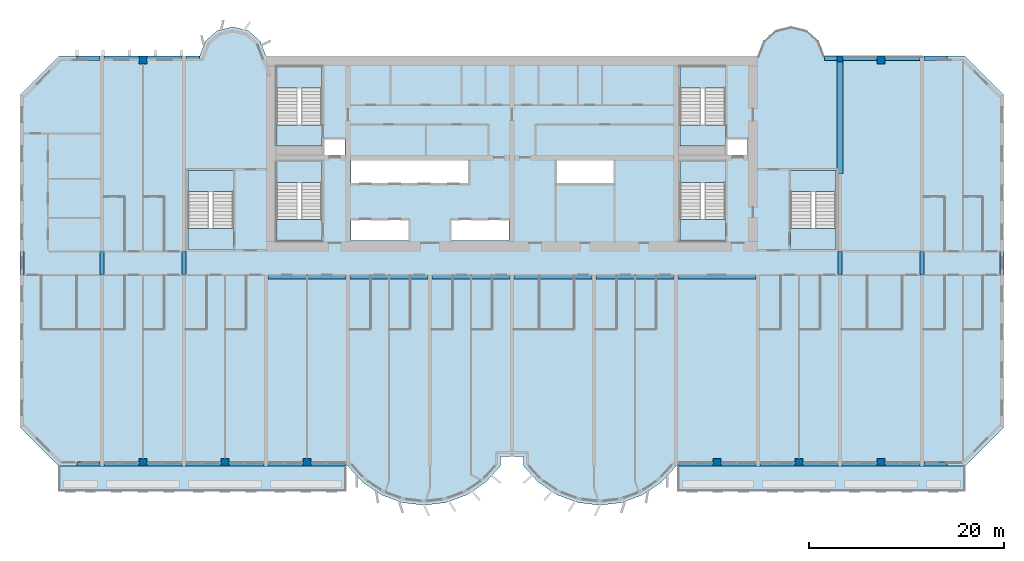
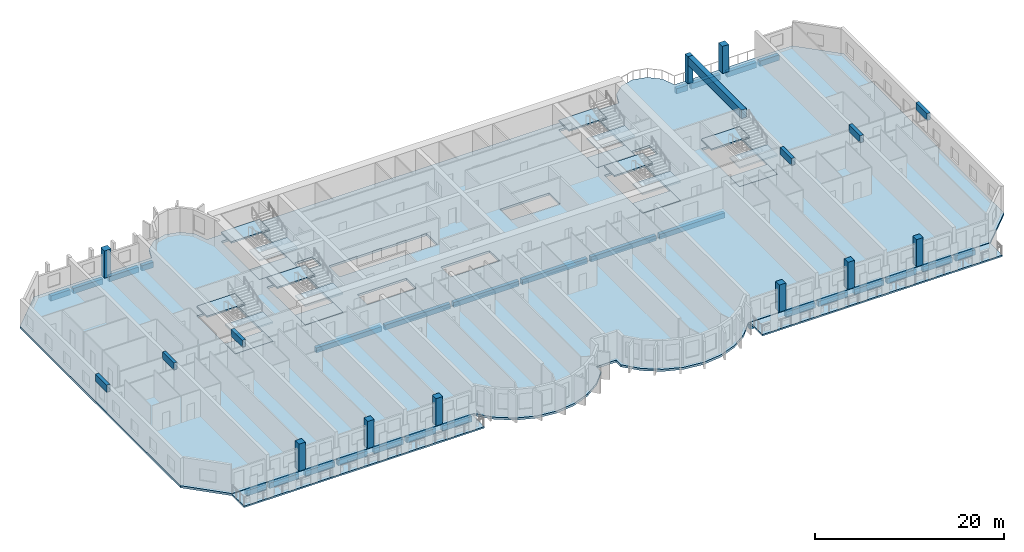
# One storey, part 1 of 14: 35 beams, 21 slabs, 9 columns, 6 elements without a shape of their own.
"""IFC4 building model written with IfcOpenShell, lengths in metres."""

from ifc_helpers import new_model, si_unit, direction, frame, origin, origin_2d, place, context, subcontext, project, spatial, polyline, rectangle, outline, extrude, source, transform, mapped, material, layer, layer_set, material_profile, profile_set, type_object, element, aggregate, save


model = new_model("IFC4")

# Units and contexts
model_context = context("Model", 3, precision=1e-05, world=origin(), true_north=direction((0.0, 1.0)))
body_context = subcontext(model_context, "Body", "Model", "MODEL_VIEW")
ifc_project = project(units=[si_unit("LENGTHUNIT", "METRE"), si_unit("AREAUNIT", "SQUARE_METRE"), si_unit("VOLUMEUNIT", "CUBIC_METRE"), si_unit("PLANEANGLEUNIT", "RADIAN"), si_unit("MASSUNIT", "GRAM", prefix="KILO")], contexts=[model_context])

# Site, building, storey
site_placement = place(None, origin())
site = spatial("IfcSite", under=ifc_project, at=site_placement, CompositionType="ELEMENT")
building_placement = place(site_placement, origin())
building = spatial("IfcBuilding", under=site, at=building_placement, Name="Vanashikhar Sky Hotel", CompositionType="ELEMENT")
storey_placement = place(building_placement, frame((0.0, 0.0, 73.39990234375)))
storey = spatial("IfcBuildingStorey", under=building, at=storey_placement, Name="L17", CompositionType="ELEMENT", Elevation=73.39990234375)

# Columns
ifc_material_1 = material(Name="Concrete M70", Category="concrete")
ifc_material_profile_1 = material_profile(ifc_material_1, rectangle(XDim=0.60009765625, YDim=0.60009765625, at=origin_2d()))
ifc_profile_set_1 = profile_set([ifc_material_profile_1], Name="RC 600x600 column Concrete M70")
column_type_1 = type_object("IfcColumnType", Name="RC 600x600 column Concrete M70", PredefinedType="COLUMN", material=ifc_profile_set_1)
shared_shape_1 = source(origin(), body_context, "Body", "SweptSolid", [
    extrude(rectangle(XDim=0.60009765625, YDim=0.60009765625, at=origin_2d()), origin(), (0.0, 0.0, 1.0), 3.52001953125),
])
column_placement = place(storey_placement, frame((84.0, 41.699951171875, 0.0), z_axis=(0.0, 0.0, 1.0), x_axis=(1.0, 0.0, 0.0)))
element("IfcColumn", 1, at=column_placement, inside=storey, type_object=column_type_1, Name="CL-L17-CRF", PredefinedType="COLUMN", context=body_context, shape_type="MappedRepresentation", body=[
    mapped(shared_shape_1, transform((0.0, 0.0, 0.0), scale=1.0)),
])
ifc_material_profile_2 = material_profile(ifc_material_1, rectangle(XDim=0.800048828125, YDim=0.800048828125, at=origin_2d()))
ifc_profile_set_2 = profile_set([ifc_material_profile_2], Name="RC 800x800 column Concrete M70")
column_type_2 = type_object("IfcColumnType", Name="RC 800x800 column Concrete M70", PredefinedType="COLUMN", material=ifc_profile_set_2)
shared_shape_2 = source(origin(), body_context, "Body", "SweptSolid", [
    extrude(rectangle(XDim=0.800048828125, YDim=0.800048828125, at=origin_2d()), origin(), (0.0, 0.0, 1.0), 3.52001953125),
])
for number, where, z_axis, x_axis, name in (
    (2, (12.60009765625, 0.39990234375, 0.0), (0.0, 0.0, 1.0), (1.0, 0.0, 0.0), "CL-L17-CF02"),
    (3, (21.0, 0.39990234375, 0.0), (0.0, 0.0, 1.0), (1.0, 0.0, 0.0), "CL-L17-CF03"),
    (4, (29.39990234375, 0.39990234375, 0.0), (0.0, 0.0, 1.0), (1.0, 0.0, 0.0), "CL-L17-CF04"),
    (5, (71.39990234375, 0.39990234375, 0.0), (0.0, 0.0, 1.0), (1.0, 0.0, 0.0), "CL-L17-CF09"),
    (6, (79.800048828125, 0.39990234375, 0.0), (0.0, 0.0, 1.0), (1.0, 0.0, 0.0), "CL-L17-CF10"),
    (7, (88.199951171875, 0.39990234375, 0.0), (0.0, 0.0, 1.0), (1.0, 0.0, 0.0), "CL-L17-CF11"),
    (8, (12.60009765625, 41.60009765625, 0.0), (0.0, 0.0, 1.0), (1.0, 0.0, 0.0), "CL-L17-CR02"),
    (9, (88.199951171875, 41.60009765625, 0.0), (0.0, 0.0, 1.0), (1.0, 0.0, 0.0), "CL-L17-CR11"),
):
    element("IfcColumn", number, at=place(storey_placement, frame(where, z_axis=z_axis, x_axis=x_axis)), inside=storey, type_object=column_type_2, Name=name, PredefinedType="COLUMN", context=body_context, shape_type="MappedRepresentation", body=[
        mapped(shared_shape_2, transform((0.0, 0.0, 0.0), scale=1.0)),
    ])

# Beams
ifc_material_2 = material(Name="Concrete M50", Category="concrete")
ifc_material_profile_3 = material_profile(ifc_material_2, rectangle(XDim=0.60009765625, YDim=1.10009765625, at=origin_2d()))
ifc_profile_set_3 = profile_set([ifc_material_profile_3], Name="RC 600x1100 beam Concrete M50")
beam_type_1 = type_object("IfcBeamType", Name="RC 600x1100 beam Concrete M50", PredefinedType="BEAM", material=ifc_profile_set_3)
shared_shape_3 = source(origin(), body_context, "Body", "SweptSolid", [
    extrude(rectangle(XDim=0.60009765625, YDim=1.10009765625, at=origin_2d()), origin(), (0.0, 0.0, 1.0), 11.39990234375),
])
beam_1_placement = place(storey_placement, frame((84.0, 30.0, 2.97021484375), z_axis=(0.0, 1.0, 0.0), x_axis=(-1.0, 0.0, 0.0)))
element("IfcBeam", 10, at=beam_1_placement, inside=storey, type_object=beam_type_1, Name="LB-L17-XW11-O1", PredefinedType="BEAM", context=body_context, shape_type="MappedRepresentation", body=[
    mapped(shared_shape_3, transform((0.0, 0.0, 0.0), scale=1.0)),
])
ifc_material_profile_4 = material_profile(ifc_material_2, rectangle(XDim=0.39990234375, YDim=0.89990234375, at=origin_2d()))
ifc_profile_set_4 = profile_set([ifc_material_profile_4], Name="RC 400x900 beam Concrete M50")
beam_type_2 = type_object("IfcBeamType", Name="RC 400x900 beam Concrete M50", PredefinedType="LINTEL", material=ifc_profile_set_4)
shared_shape_4 = source(origin(), body_context, "Body", "SweptSolid", [
    extrude(rectangle(XDim=0.39990234375, YDim=0.89990234375, at=origin_2d()), origin(), (0.0, 0.0, 1.0), 2.39990234375),
])
for number, where, z_axis, x_axis, name in (
    (11, (0.199951171875, 19.60009765625, 3.070068359375), (0.0, 1.0, 0.0), (-1.0, 0.0, 0.0), "LB-L17-XW01"),
    (12, (8.39990234375, 19.60009765625, 3.070068359375), (0.0, 1.0, 0.0), (-1.0, 0.0, 0.0), "LB-L17-XW02"),
    (13, (16.800048828125, 19.60009765625, 3.070068359375), (0.0, 1.0, 0.0), (-1.0, 0.0, 0.0), "LB-L17-XW03"),
    (14, (84.0, 19.60009765625, 3.070068359375), (0.0, 1.0, 0.0), (-1.0, 0.0, 0.0), "LB-L17-XW11"),
    (15, (92.39990234375, 19.60009765625, 3.070068359375), (0.0, 1.0, 0.0), (-1.0, 0.0, 0.0), "LB-L17-XW12"),
    (16, (100.60009765625, 19.60009765625, 3.070068359375), (0.0, 1.0, 0.0), (-1.0, 0.0, 0.0), "LB-L17-XW13"),
):
    element("IfcBeam", number, at=place(storey_placement, frame(where, z_axis=z_axis, x_axis=x_axis)), inside=storey, type_object=beam_type_2, Name=name, PredefinedType="LINTEL", context=body_context, shape_type="MappedRepresentation", body=[
        mapped(shared_shape_4, transform((0.0, 0.0, 0.0), scale=1.0)),
    ])
ifc_material_profile_5 = material_profile(ifc_material_2, rectangle(XDim=0.449951171875, YDim=0.699951171875, at=origin_2d()))
ifc_profile_set_5 = profile_set([ifc_material_profile_5], Name="RC 450x700 beam Concrete M50")
beam_type_3 = type_object("IfcBeamType", Name="RC 450x700 beam Concrete M50", PredefinedType="BEAM", material=ifc_profile_set_5)
shared_shape_5 = source(origin(), body_context, "Body", "SweptSolid", [
    extrude(rectangle(XDim=0.449951171875, YDim=0.699951171875, at=origin_2d()), origin(), (0.0, 0.0, 1.0), 3.599853515625),
])
for number, where, z_axis, x_axis, name in (
    (17, (8.60009765625, 0.22509765625, -0.6298828125), (1.0, 0.0, 0.0), (0.0, 1.0, 0.0), "EB-L17-F01"),
    (18, (29.800048828125, 0.22509765625, -0.6298828125), (1.0, 0.0, 0.0), (0.0, 1.0, 0.0), "EB-L17-F06"),
    (19, (71.800048828125, 0.22509765625, -0.6298828125), (1.0, 0.0, 0.0), (0.0, 1.0, 0.0), "EB-L17-F09"),
    (20, (75.800048828125, 0.22509765625, -0.6298828125), (1.0, 0.0, 0.0), (0.0, 1.0, 0.0), "EB-L17-F10"),
    (21, (88.60009765625, 0.22509765625, -0.6298828125), (1.0, 0.0, 0.0), (0.0, 1.0, 0.0), "EB-L17-F13"),
    (22, (8.60009765625, 41.77490234375, -0.6298828125), (1.0, 0.0, 0.0), (0.0, 1.0, 0.0), "EB-L17-R01"),
    (23, (88.60009765625, 41.77490234375, -0.6298828125), (1.0, 0.0, 0.0), (0.0, 1.0, 0.0), "EB-L17-R06"),
):
    element("IfcBeam", number, at=place(storey_placement, frame(where, z_axis=z_axis, x_axis=x_axis)), inside=storey, type_object=beam_type_3, Name=name, PredefinedType="BEAM", context=body_context, shape_type="MappedRepresentation", body=[
        mapped(shared_shape_5, transform((0.0, 0.0, 0.0), scale=1.0)),
    ])
shared_shape_6 = source(origin(), body_context, "Body", "SweptSolid", [
    extrude(rectangle(XDim=0.449951171875, YDim=0.699951171875, at=origin_2d()), origin(), (0.0, 0.0, 1.0), 3.60009765625),
])
for number, where, z_axis, x_axis, name in (
    (24, (13.0, 0.22509765625, -0.6298828125), (1.0, 0.0, 0.0), (0.0, 1.0, 0.0), "EB-L17-F02"),
    (25, (17.0, 0.22509765625, -0.6298828125), (1.0, 0.0, 0.0), (0.0, 1.0, 0.0), "EB-L17-F03"),
    (26, (21.39990234375, 0.22509765625, -0.6298828125), (1.0, 0.0, 0.0), (0.0, 1.0, 0.0), "EB-L17-F04"),
    (27, (25.39990234375, 0.22509765625, -0.6298828125), (1.0, 0.0, 0.0), (0.0, 1.0, 0.0), "EB-L17-F05"),
    (28, (67.39990234375, 0.22509765625, -0.6298828125), (1.0, 0.0, 0.0), (0.0, 1.0, 0.0), "EB-L17-F08"),
    (29, (80.199951171875, 0.22509765625, -0.6298828125), (1.0, 0.0, 0.0), (0.0, 1.0, 0.0), "EB-L17-F11"),
    (30, (84.199951171875, 0.22509765625, -0.6298828125), (1.0, 0.0, 0.0), (0.0, 1.0, 0.0), "EB-L17-F12"),
    (31, (13.0, 41.77490234375, -0.6298828125), (1.0, 0.0, 0.0), (0.0, 1.0, 0.0), "EB-L17-R02"),
    (32, (84.199951171875, 41.77490234375, -0.6298828125), (1.0, 0.0, 0.0), (0.0, 1.0, 0.0), "EB-L17-R05"),
):
    element("IfcBeam", number, at=place(storey_placement, frame(where, z_axis=z_axis, x_axis=x_axis)), inside=storey, type_object=beam_type_3, Name=name, PredefinedType="BEAM", context=body_context, shape_type="MappedRepresentation", body=[
        mapped(shared_shape_6, transform((0.0, 0.0, 0.0), scale=1.0)),
    ])
ifc_material_profile_6 = material_profile(ifc_material_2, rectangle(XDim=0.449951171875, YDim=0.699951171875, at=origin_2d()))
ifc_profile_set_6 = profile_set([ifc_material_profile_6], Name="RC 450x700 cantilever beam Concrete M50")
beam_type_4 = type_object("IfcBeamType", Name="RC 450x700 cantilever beam Concrete M50", PredefinedType="SPANDREL", material=ifc_profile_set_6)
shared_shape_7 = source(origin(), body_context, "Body", "SweptSolid", [
    extrude(rectangle(XDim=0.449951171875, YDim=0.699951171875, at=origin_2d()), origin(), (0.0, 0.0, 1.0), 2.3798828125),
])
for number, where, z_axis, x_axis, name in (
    (33, (5.820068359375, 0.22509765625, -0.6298828125), (1.0, 0.0, 0.0), (0.0, 1.0, 0.0), "EB-L17-F07"),
    (34, (92.60009765625, 0.22509765625, -0.6298828125), (1.0, 0.0, 0.0), (0.0, 1.0, 0.0), "EB-L17-F14"),
    (35, (5.820068359375, 41.77490234375, -0.6298828125), (1.0, 0.0, 0.0), (0.0, 1.0, 0.0), "EB-L17-R03"),
    (36, (92.60009765625, 41.77490234375, -0.6298828125), (1.0, 0.0, 0.0), (0.0, 1.0, 0.0), "EB-L17-R08"),
):
    element("IfcBeam", number, at=place(storey_placement, frame(where, z_axis=z_axis, x_axis=x_axis)), inside=storey, type_object=beam_type_4, Name=name, PredefinedType="SPANDREL", context=body_context, shape_type="MappedRepresentation", body=[
        mapped(shared_shape_7, transform((0.0, 0.0, 0.0), scale=1.0)),
    ])
shared_shape_8 = source(origin(), body_context, "Body", "SweptSolid", [
    extrude(rectangle(XDim=0.449951171875, YDim=0.699951171875, at=origin_2d()), origin(), (0.0, 0.0, 1.0), 1.39990234375),
])
beam_2_placement = place(storey_placement, frame((17.0, 41.77490234375, -0.6298828125), z_axis=(1.0, 0.0, 0.0), x_axis=(0.0, 1.0, 0.0)))
element("IfcBeam", 37, at=beam_2_placement, inside=storey, type_object=beam_type_4, Name="EB-L17-R04", PredefinedType="SPANDREL", context=body_context, shape_type="MappedRepresentation", body=[
    mapped(shared_shape_8, transform((0.0, 0.0, 0.0), scale=1.0)),
])
shared_shape_9 = source(origin(), body_context, "Body", "SweptSolid", [
    extrude(rectangle(XDim=0.449951171875, YDim=0.699951171875, at=origin_2d()), origin(), (0.0, 0.0, 1.0), 1.400146484375),
])
beam_3_placement = place(storey_placement, frame((82.39990234375, 41.77490234375, -0.6298828125), z_axis=(1.0, 0.0, 0.0), x_axis=(0.0, 1.0, 0.0)))
element("IfcBeam", 38, at=beam_3_placement, inside=storey, type_object=beam_type_4, Name="EB-L17-R07", PredefinedType="SPANDREL", context=body_context, shape_type="MappedRepresentation", body=[
    mapped(shared_shape_9, transform((0.0, 0.0, 0.0), scale=1.0)),
])
ifc_material_profile_7 = material_profile(ifc_material_2, rectangle(XDim=0.449951171875, YDim=0.64990234375, at=origin_2d()))
ifc_profile_set_7 = profile_set([ifc_material_profile_7], Name="RC 450x650 beam Concrete M50")
beam_type_5 = type_object("IfcBeamType", Name="RC 450x650 beam Concrete M50", PredefinedType="BEAM", material=ifc_profile_set_7)
shared_shape_10 = source(origin(), body_context, "Body", "SweptSolid", [
    extrude(rectangle(XDim=0.449951171875, YDim=0.64990234375, at=origin_2d()), origin(), (0.0, 0.0, 1.0), 8.0),
])
for number, where, z_axis, x_axis, name in (
    (39, (25.39990234375, 19.375, -0.60498046875), (1.0, 0.0, 0.0), (0.0, 1.0, 0.0), "CB-L17-01"),
    (40, (33.800048828125, 19.375, -0.60498046875), (1.0, 0.0, 0.0), (0.0, 1.0, 0.0), "CB-L17-02"),
    (41, (42.199951171875, 19.375, -0.60498046875), (1.0, 0.0, 0.0), (0.0, 1.0, 0.0), "CB-L17-03"),
    (42, (50.60009765625, 19.375, -0.60498046875), (1.0, 0.0, 0.0), (0.0, 1.0, 0.0), "CB-L17-04"),
    (43, (59.0, 19.375, -0.60498046875), (1.0, 0.0, 0.0), (0.0, 1.0, 0.0), "CB-L17-05"),
    (44, (67.39990234375, 19.375, -0.60498046875), (1.0, 0.0, 0.0), (0.0, 1.0, 0.0), "CB-L17-06"),
):
    element("IfcBeam", number, at=place(storey_placement, frame(where, z_axis=z_axis, x_axis=x_axis)), inside=storey, type_object=beam_type_5, Name=name, PredefinedType="BEAM", context=body_context, shape_type="MappedRepresentation", body=[
        mapped(shared_shape_10, transform((0.0, 0.0, 0.0), scale=1.0)),
    ])

# Slabs
ifc_material_3 = material(Name="Concrete M40", Category="concrete")
ifc_layer_1 = layer(ifc_material_3, 0.280029296875)
ifc_layer_set_1 = layer_set([ifc_layer_1], Name="Floor slab 280 mm")
slab_type_1 = type_object("IfcSlabType", Name="Floor slab 280 mm", PredefinedType="FLOOR", material=ifc_layer_set_1)
shared_shape_11 = source(origin(), body_context, "Body", "SweptSolid", [
    extrude(outline(polyline([(49.199951171875, 0.0), (49.199951171875, 1.0), (51.60009765625, 1.0), (51.60009765625, 0.0), (53.133056640625, -1.674072265625), (55.01708984375, -2.94189453125), (57.14599609375, -3.73193359375), (59.39990234375, -4.0), (61.654052734375, -3.73193359375), (63.782958984375, -2.94189453125), (65.6669921875, -1.674072265625), (67.199951171875, 0.0), (96.800048828125, 0.0), (100.800048828125, 4.0), (100.800048828125, 38.0), (96.800048828125, 42.0), (82.39990234375, 42.0), (81.81494140625, 43.527099609375), (80.587890625, 44.610107421875), (79.0, 45.0), (77.412109375, 44.610107421875), (76.18505859375, 43.527099609375), (75.60009765625, 42.0), (25.199951171875, 42.0), (24.614990234375, 43.527099609375), (23.387939453125, 44.610107421875), (21.800048828125, 45.0), (20.2119140625, 44.610107421875), (18.985107421875, 43.527099609375), (18.39990234375, 42.0), (4.0, 42.0), (0.0, 38.0), (0.0, 4.0), (4.0, 0.0), (33.60009765625, 0.0), (35.133056640625, -1.674072265625), (37.01708984375, -2.94189453125), (39.14599609375, -3.73193359375), (41.39990234375, -4.0), (43.654052734375, -3.73193359375), (45.782958984375, -2.94189453125), (47.6669921875, -1.674072265625), (49.199951171875, 0.0)]), holes=[polyline([(33.300048828125, 33.60009765625), (31.050048828125, 33.60009765625), (31.050048828125, 31.89990234375), (33.300048828125, 31.89990234375), (33.300048828125, 33.60009765625)]), polyline([(33.89990234375, 25.199951171875), (33.89990234375, 23.10009765625), (39.89990234375, 23.10009765625), (39.89990234375, 25.199951171875), (33.89990234375, 25.199951171875)]), polyline([(33.89990234375, 31.300048828125), (33.89990234375, 29.0), (45.89990234375, 29.0), (45.89990234375, 31.300048828125), (33.89990234375, 31.300048828125)]), polyline([(44.10009765625, 25.199951171875), (44.10009765625, 23.10009765625), (50.10009765625, 23.10009765625), (50.10009765625, 25.199951171875), (44.10009765625, 25.199951171875)]), polyline([(54.89990234375, 31.300048828125), (54.89990234375, 29.0), (60.89990234375, 29.0), (60.89990234375, 31.300048828125), (54.89990234375, 31.300048828125)]), polyline([(74.5, 33.60009765625), (72.35009765625, 33.60009765625), (72.35009765625, 31.89990234375), (74.5, 31.89990234375), (74.5, 33.60009765625)]), polyline([(30.949951171875, 23.10009765625), (30.949951171875, 31.199951171875), (26.300048828125, 31.199951171875), (26.300048828125, 23.10009765625), (30.949951171875, 23.10009765625)]), polyline([(72.25, 23.10009765625), (72.25, 31.199951171875), (67.60009765625, 31.199951171875), (67.60009765625, 23.10009765625), (72.25, 23.10009765625)]), polyline([(30.949951171875, 32.800048828125), (30.949951171875, 40.89990234375), (26.300048828125, 40.89990234375), (26.300048828125, 32.800048828125), (30.949951171875, 32.800048828125)]), polyline([(72.25, 32.800048828125), (72.25, 40.89990234375), (67.60009765625, 40.89990234375), (67.60009765625, 32.800048828125), (72.25, 32.800048828125)]), polyline([(83.60009765625, 22.199951171875), (83.60009765625, 30.300048828125), (78.949951171875, 30.300048828125), (78.949951171875, 22.199951171875), (83.60009765625, 22.199951171875)]), polyline([(21.85009765625, 22.199951171875), (21.85009765625, 30.300048828125), (17.199951171875, 30.300048828125), (17.199951171875, 22.199951171875), (21.85009765625, 22.199951171875)])]), origin(), (0.0, 0.0, 1.0), 0.27978515625),
])
slab_1_placement = place(storey_placement, frame((0.0, 0.0, -0.27978515625)))
element("IfcSlab", 45, at=slab_1_placement, inside=storey, type_object=slab_type_1, Name="Floor slab L17", PredefinedType="FLOOR", context=body_context, shape_type="MappedRepresentation", body=[
    mapped(shared_shape_11, transform((0.0, 0.0, 0.0), scale=1.0)),
])
ifc_layer_2 = layer(ifc_material_3, 0.199951171875)
ifc_layer_set_2 = layer_set([ifc_layer_2], Name="Balcony slab 200 mm")
slab_type_2 = type_object("IfcSlabType", Name="Balcony slab 200 mm", PredefinedType="USERDEFINED", material=ifc_layer_set_2)
shared_shape_12 = source(origin(), body_context, "Body", "SweptSolid", [
    extrude(outline(polyline([(4.0, -2.60009765625), (33.39990234375, -2.60009765625), (33.39990234375, 0.0), (4.0, 0.0), (4.0, -2.60009765625)])), origin(), (0.0, 0.0, 1.0), 0.2001953125),
])
slab_2_placement = place(storey_placement, frame((0.0, 0.0, -0.25)))
element("IfcSlab", 46, at=slab_2_placement, inside=storey, type_object=slab_type_2, Name="Balcony slab L17 1", ObjectType="BALCONY", PredefinedType="USERDEFINED", context=body_context, shape_type="MappedRepresentation", body=[
    mapped(shared_shape_12, transform((0.0, 0.0, 0.0), scale=1.0)),
])
shared_shape_13 = source(origin(), body_context, "Body", "SweptSolid", [
    extrude(outline(polyline([(67.39990234375, -2.60009765625), (96.800048828125, -2.60009765625), (96.800048828125, 0.0), (67.39990234375, 0.0), (67.39990234375, -2.60009765625)])), origin(), (0.0, 0.0, 1.0), 0.2001953125),
])
slab_3_placement = place(storey_placement, frame((0.0, 0.0, -0.25)))
element("IfcSlab", 47, at=slab_3_placement, inside=storey, type_object=slab_type_2, Name="Balcony slab L17 2", ObjectType="BALCONY", PredefinedType="USERDEFINED", context=body_context, shape_type="MappedRepresentation", body=[
    mapped(shared_shape_13, transform((0.0, 0.0, 0.0), scale=1.0)),
])

# Stair, slabs
stair_type = type_object("IfcStairType", Name="Exit stair 2150", PredefinedType="DOUBLE_RETURN_STAIR", material=ifc_material_3)
stair_1_placement = place(storey_placement, origin())
stair_1 = element("IfcStair", 48, at=stair_1_placement, inside=storey, type_object=stair_type, Name="L17 Exit stair 1", PredefinedType="DOUBLE_RETURN_STAIR")
ifc_layer_3 = layer(ifc_material_3, 0.199951171875)
ifc_layer_set_3 = layer_set([ifc_layer_3], Name="Stair landing 200")
slab_type_3 = type_object("IfcSlabType", Name="Stair landing 200", PredefinedType="LANDING", material=ifc_layer_set_3)
shared_shape_14 = source(origin(), body_context, "Body", "SweptSolid", [
    extrude(outline(polyline([(30.949951171875, 23.10009765625), (30.949951171875, 25.25), (26.300048828125, 25.25), (26.300048828125, 23.10009765625), (30.949951171875, 23.10009765625)])), origin(), (0.0, 0.0, 1.0), 0.199951171875),
])
slab_4_placement = place(storey_placement, frame((0.0, 0.0, 2.33349609375)))
slab_4 = element("IfcSlab", 49, at=slab_4_placement, type_object=slab_type_3, Name="ST-C1 landing 2", PredefinedType="LANDING", context=body_context, shape_type="MappedRepresentation", body=[
    mapped(shared_shape_14, transform((0.0, 0.0, 0.0), scale=1.0)),
])
shared_shape_15 = source(origin(), body_context, "Body", "SweptSolid", [
    extrude(outline(polyline([(30.949951171875, 29.050048828125), (30.949951171875, 31.199951171875), (26.300048828125, 31.199951171875), (26.300048828125, 29.050048828125), (30.949951171875, 29.050048828125)])), origin(), (0.0, 0.0, 1.0), 0.2001953125),
])
slab_5_placement = place(storey_placement, frame((0.0, 0.0, 1.066650390625)))
slab_5 = element("IfcSlab", 50, at=slab_5_placement, type_object=slab_type_3, Name="ST-C1 landing 1", PredefinedType="LANDING", context=body_context, shape_type="MappedRepresentation", body=[
    mapped(shared_shape_15, transform((0.0, 0.0, 0.0), scale=1.0)),
])
aggregate(stair_1, [slab_5, slab_4])

# Slab
ifc_layer_4 = layer(ifc_material_3, 0.280029296875)
ifc_layer_set_4 = layer_set([ifc_layer_4], Name="Stair floor landing 280")
slab_type_4 = type_object("IfcSlabType", Name="Stair floor landing 280", PredefinedType="LANDING", material=ifc_layer_set_4)
shared_shape_16 = source(origin(), body_context, "Body", "SweptSolid", [
    extrude(outline(polyline([(30.949951171875, 23.10009765625), (30.949951171875, 25.25), (26.300048828125, 25.25), (26.300048828125, 23.10009765625), (30.949951171875, 23.10009765625)])), origin(), (0.0, 0.0, 1.0), 0.27978515625),
])
slab_6_placement = place(storey_placement, frame((0.0, 0.0, -0.27978515625)))
element("IfcSlab", 51, at=slab_6_placement, inside=storey, type_object=slab_type_4, Name="Exit stair 1 floor landing", PredefinedType="LANDING", context=body_context, shape_type="MappedRepresentation", body=[
    mapped(shared_shape_16, transform((0.0, 0.0, 0.0), scale=1.0)),
])

# Stair, slabs
stair_2_placement = place(storey_placement, origin())
stair_2 = element("IfcStair", 52, at=stair_2_placement, inside=storey, type_object=stair_type, Name="L17 Exit stair 2", PredefinedType="DOUBLE_RETURN_STAIR")
shared_shape_17 = source(origin(), body_context, "Body", "SweptSolid", [
    extrude(outline(polyline([(72.25, 23.10009765625), (72.25, 25.25), (67.60009765625, 25.25), (67.60009765625, 23.10009765625), (72.25, 23.10009765625)])), origin(), (0.0, 0.0, 1.0), 0.199951171875),
])
slab_7_placement = place(storey_placement, frame((0.0, 0.0, 2.33349609375)))
slab_7 = element("IfcSlab", 53, at=slab_7_placement, type_object=slab_type_3, Name="ST-C2 landing 2", PredefinedType="LANDING", context=body_context, shape_type="MappedRepresentation", body=[
    mapped(shared_shape_17, transform((0.0, 0.0, 0.0), scale=1.0)),
])
shared_shape_18 = source(origin(), body_context, "Body", "SweptSolid", [
    extrude(outline(polyline([(72.25, 29.050048828125), (72.25, 31.199951171875), (67.60009765625, 31.199951171875), (67.60009765625, 29.050048828125), (72.25, 29.050048828125)])), origin(), (0.0, 0.0, 1.0), 0.2001953125),
])
slab_8_placement = place(storey_placement, frame((0.0, 0.0, 1.066650390625)))
slab_8 = element("IfcSlab", 54, at=slab_8_placement, type_object=slab_type_3, Name="ST-C2 landing 1", PredefinedType="LANDING", context=body_context, shape_type="MappedRepresentation", body=[
    mapped(shared_shape_18, transform((0.0, 0.0, 0.0), scale=1.0)),
])
aggregate(stair_2, [slab_8, slab_7])

# Slab
shared_shape_19 = source(origin(), body_context, "Body", "SweptSolid", [
    extrude(outline(polyline([(72.25, 23.10009765625), (72.25, 25.25), (67.60009765625, 25.25), (67.60009765625, 23.10009765625), (72.25, 23.10009765625)])), origin(), (0.0, 0.0, 1.0), 0.27978515625),
])
slab_9_placement = place(storey_placement, frame((0.0, 0.0, -0.27978515625)))
element("IfcSlab", 55, at=slab_9_placement, inside=storey, type_object=slab_type_4, Name="Exit stair 2 floor landing", PredefinedType="LANDING", context=body_context, shape_type="MappedRepresentation", body=[
    mapped(shared_shape_19, transform((0.0, 0.0, 0.0), scale=1.0)),
])

# Stair, slabs
stair_3_placement = place(storey_placement, origin())
stair_3 = element("IfcStair", 56, at=stair_3_placement, inside=storey, type_object=stair_type, Name="L17 Exit stair 3", PredefinedType="DOUBLE_RETURN_STAIR")
shared_shape_20 = source(origin(), body_context, "Body", "SweptSolid", [
    extrude(outline(polyline([(21.85009765625, 22.199951171875), (21.85009765625, 24.35009765625), (17.199951171875, 24.35009765625), (17.199951171875, 22.199951171875), (21.85009765625, 22.199951171875)])), origin(), (0.0, 0.0, 1.0), 0.199951171875),
])
slab_10_placement = place(storey_placement, frame((0.0, 0.0, 2.33349609375)))
slab_10 = element("IfcSlab", 57, at=slab_10_placement, type_object=slab_type_3, Name="ST-W landing 2", PredefinedType="LANDING", context=body_context, shape_type="MappedRepresentation", body=[
    mapped(shared_shape_20, transform((0.0, 0.0, 0.0), scale=1.0)),
])
shared_shape_21 = source(origin(), body_context, "Body", "SweptSolid", [
    extrude(outline(polyline([(21.85009765625, 28.14990234375), (21.85009765625, 30.300048828125), (17.199951171875, 30.300048828125), (17.199951171875, 28.14990234375), (21.85009765625, 28.14990234375)])), origin(), (0.0, 0.0, 1.0), 0.2001953125),
])
slab_11_placement = place(storey_placement, frame((0.0, 0.0, 1.066650390625)))
slab_11 = element("IfcSlab", 58, at=slab_11_placement, type_object=slab_type_3, Name="ST-W landing 1", PredefinedType="LANDING", context=body_context, shape_type="MappedRepresentation", body=[
    mapped(shared_shape_21, transform((0.0, 0.0, 0.0), scale=1.0)),
])
aggregate(stair_3, [slab_11, slab_10])

# Slab
shared_shape_22 = source(origin(), body_context, "Body", "SweptSolid", [
    extrude(outline(polyline([(21.85009765625, 22.199951171875), (21.85009765625, 24.35009765625), (17.199951171875, 24.35009765625), (17.199951171875, 22.199951171875), (21.85009765625, 22.199951171875)])), origin(), (0.0, 0.0, 1.0), 0.27978515625),
])
slab_12_placement = place(storey_placement, frame((0.0, 0.0, -0.27978515625)))
element("IfcSlab", 59, at=slab_12_placement, inside=storey, type_object=slab_type_4, Name="Exit stair 3 floor landing", PredefinedType="LANDING", context=body_context, shape_type="MappedRepresentation", body=[
    mapped(shared_shape_22, transform((0.0, 0.0, 0.0), scale=1.0)),
])

# Stair, slabs
stair_4_placement = place(storey_placement, origin())
stair_4 = element("IfcStair", 60, at=stair_4_placement, inside=storey, type_object=stair_type, Name="L17 Exit stair 4", PredefinedType="DOUBLE_RETURN_STAIR")
shared_shape_23 = source(origin(), body_context, "Body", "SweptSolid", [
    extrude(outline(polyline([(83.60009765625, 22.199951171875), (83.60009765625, 24.35009765625), (78.949951171875, 24.35009765625), (78.949951171875, 22.199951171875), (83.60009765625, 22.199951171875)])), origin(), (0.0, 0.0, 1.0), 0.199951171875),
])
slab_13_placement = place(storey_placement, frame((0.0, 0.0, 2.33349609375)))
slab_13 = element("IfcSlab", 61, at=slab_13_placement, type_object=slab_type_3, Name="ST-E landing 2", PredefinedType="LANDING", context=body_context, shape_type="MappedRepresentation", body=[
    mapped(shared_shape_23, transform((0.0, 0.0, 0.0), scale=1.0)),
])
shared_shape_24 = source(origin(), body_context, "Body", "SweptSolid", [
    extrude(outline(polyline([(83.60009765625, 28.14990234375), (83.60009765625, 30.300048828125), (78.949951171875, 30.300048828125), (78.949951171875, 28.14990234375), (83.60009765625, 28.14990234375)])), origin(), (0.0, 0.0, 1.0), 0.2001953125),
])
slab_14_placement = place(storey_placement, frame((0.0, 0.0, 1.066650390625)))
slab_14 = element("IfcSlab", 62, at=slab_14_placement, type_object=slab_type_3, Name="ST-E landing 1", PredefinedType="LANDING", context=body_context, shape_type="MappedRepresentation", body=[
    mapped(shared_shape_24, transform((0.0, 0.0, 0.0), scale=1.0)),
])
aggregate(stair_4, [slab_14, slab_13])

# Slab
shared_shape_25 = source(origin(), body_context, "Body", "SweptSolid", [
    extrude(outline(polyline([(83.60009765625, 22.199951171875), (83.60009765625, 24.35009765625), (78.949951171875, 24.35009765625), (78.949951171875, 22.199951171875), (83.60009765625, 22.199951171875)])), origin(), (0.0, 0.0, 1.0), 0.27978515625),
])
slab_15_placement = place(storey_placement, frame((0.0, 0.0, -0.27978515625)))
element("IfcSlab", 63, at=slab_15_placement, inside=storey, type_object=slab_type_4, Name="Exit stair 4 floor landing", PredefinedType="LANDING", context=body_context, shape_type="MappedRepresentation", body=[
    mapped(shared_shape_25, transform((0.0, 0.0, 0.0), scale=1.0)),
])

# Stair, slabs
stair_5_placement = place(storey_placement, origin())
stair_5 = element("IfcStair", 64, at=stair_5_placement, inside=storey, type_object=stair_type, Name="L17 Exit stair 5", PredefinedType="DOUBLE_RETURN_STAIR")
shared_shape_26 = source(origin(), body_context, "Body", "SweptSolid", [
    extrude(outline(polyline([(30.949951171875, 32.800048828125), (30.949951171875, 34.949951171875), (26.300048828125, 34.949951171875), (26.300048828125, 32.800048828125), (30.949951171875, 32.800048828125)])), origin(), (0.0, 0.0, 1.0), 0.199951171875),
])
slab_16_placement = place(storey_placement, frame((0.0, 0.0, 2.33349609375)))
slab_16 = element("IfcSlab", 65, at=slab_16_placement, type_object=slab_type_3, Name="ST-C3 landing 2", PredefinedType="LANDING", context=body_context, shape_type="MappedRepresentation", body=[
    mapped(shared_shape_26, transform((0.0, 0.0, 0.0), scale=1.0)),
])
shared_shape_27 = source(origin(), body_context, "Body", "SweptSolid", [
    extrude(outline(polyline([(30.949951171875, 38.75), (30.949951171875, 40.89990234375), (26.300048828125, 40.89990234375), (26.300048828125, 38.75), (30.949951171875, 38.75)])), origin(), (0.0, 0.0, 1.0), 0.2001953125),
])
slab_17_placement = place(storey_placement, frame((0.0, 0.0, 1.066650390625)))
slab_17 = element("IfcSlab", 66, at=slab_17_placement, type_object=slab_type_3, Name="ST-C3 landing 1", PredefinedType="LANDING", context=body_context, shape_type="MappedRepresentation", body=[
    mapped(shared_shape_27, transform((0.0, 0.0, 0.0), scale=1.0)),
])
aggregate(stair_5, [slab_17, slab_16])

# Slab
shared_shape_28 = source(origin(), body_context, "Body", "SweptSolid", [
    extrude(outline(polyline([(30.949951171875, 32.800048828125), (30.949951171875, 34.949951171875), (26.300048828125, 34.949951171875), (26.300048828125, 32.800048828125), (30.949951171875, 32.800048828125)])), origin(), (0.0, 0.0, 1.0), 0.27978515625),
])
slab_18_placement = place(storey_placement, frame((0.0, 0.0, -0.27978515625)))
element("IfcSlab", 67, at=slab_18_placement, inside=storey, type_object=slab_type_4, Name="Exit stair 5 floor landing", PredefinedType="LANDING", context=body_context, shape_type="MappedRepresentation", body=[
    mapped(shared_shape_28, transform((0.0, 0.0, 0.0), scale=1.0)),
])

# Stair, slabs
stair_6_placement = place(storey_placement, origin())
stair_6 = element("IfcStair", 68, at=stair_6_placement, inside=storey, type_object=stair_type, Name="L17 Exit stair 6", PredefinedType="DOUBLE_RETURN_STAIR")
shared_shape_29 = source(origin(), body_context, "Body", "SweptSolid", [
    extrude(outline(polyline([(72.25, 32.800048828125), (72.25, 34.949951171875), (67.60009765625, 34.949951171875), (67.60009765625, 32.800048828125), (72.25, 32.800048828125)])), origin(), (0.0, 0.0, 1.0), 0.199951171875),
])
slab_19_placement = place(storey_placement, frame((0.0, 0.0, 2.33349609375)))
slab_19 = element("IfcSlab", 69, at=slab_19_placement, type_object=slab_type_3, Name="ST-C4 landing 2", PredefinedType="LANDING", context=body_context, shape_type="MappedRepresentation", body=[
    mapped(shared_shape_29, transform((0.0, 0.0, 0.0), scale=1.0)),
])
shared_shape_30 = source(origin(), body_context, "Body", "SweptSolid", [
    extrude(outline(polyline([(72.25, 38.75), (72.25, 40.89990234375), (67.60009765625, 40.89990234375), (67.60009765625, 38.75), (72.25, 38.75)])), origin(), (0.0, 0.0, 1.0), 0.2001953125),
])
slab_20_placement = place(storey_placement, frame((0.0, 0.0, 1.066650390625)))
slab_20 = element("IfcSlab", 70, at=slab_20_placement, type_object=slab_type_3, Name="ST-C4 landing 1", PredefinedType="LANDING", context=body_context, shape_type="MappedRepresentation", body=[
    mapped(shared_shape_30, transform((0.0, 0.0, 0.0), scale=1.0)),
])
aggregate(stair_6, [slab_20, slab_19])

# Slab
shared_shape_31 = source(origin(), body_context, "Body", "SweptSolid", [
    extrude(outline(polyline([(72.25, 32.800048828125), (72.25, 34.949951171875), (67.60009765625, 34.949951171875), (67.60009765625, 32.800048828125), (72.25, 32.800048828125)])), origin(), (0.0, 0.0, 1.0), 0.27978515625),
])
slab_21_placement = place(storey_placement, frame((0.0, 0.0, -0.27978515625)))
element("IfcSlab", 71, at=slab_21_placement, inside=storey, type_object=slab_type_4, Name="Exit stair 6 floor landing", PredefinedType="LANDING", context=body_context, shape_type="MappedRepresentation", body=[
    mapped(shared_shape_31, transform((0.0, 0.0, 0.0), scale=1.0)),
])

save(model, "model.ifc")
